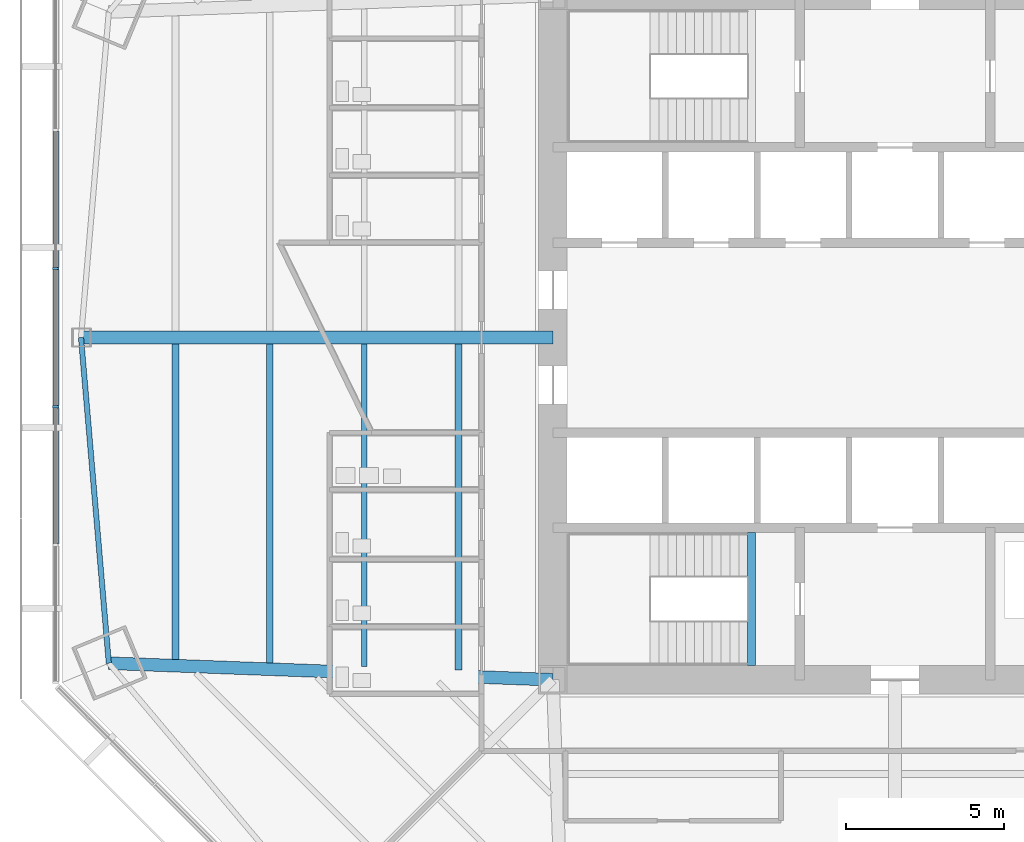
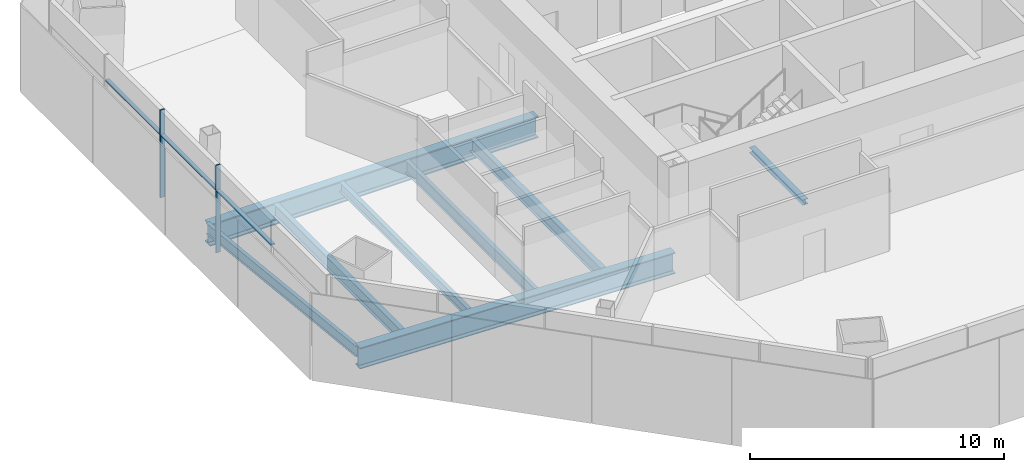
# One storey, part 3 of 14: 8 beams, 5 members, 1 element without a shape of its own.
"""IFC4 building model written with IfcOpenShell, lengths in metres."""

from ifc_helpers import new_model, si_unit, direction, frame, origin, origin_2d, place, context, subcontext, project, spatial, rectangle, i_section, extrude, source, transform, mapped, material, material_profile, profile_set, type_object, type_shapes, element, aggregate, save


model = new_model("IFC4")

# Units and contexts
model_context = context("Model", 3, precision=1e-05, world=origin(), true_north=direction((0.0, 1.0)))
body_context = subcontext(model_context, "Body", "Model", "MODEL_VIEW")
ifc_project = project(units=[si_unit("LENGTHUNIT", "METRE"), si_unit("AREAUNIT", "SQUARE_METRE"), si_unit("VOLUMEUNIT", "CUBIC_METRE"), si_unit("PLANEANGLEUNIT", "RADIAN"), si_unit("MASSUNIT", "GRAM", prefix="KILO")], contexts=[model_context])

# Site, building, storey
site_placement = place(None, origin())
site = spatial("IfcSite", under=ifc_project, at=site_placement, CompositionType="ELEMENT")
building_placement = place(site_placement, origin())
building = spatial("IfcBuilding", under=site, at=building_placement, Name="Mashrafa Tower", CompositionType="ELEMENT")
storey_placement = place(building_placement, frame((0.0, 0.0, 54.0)))
storey = spatial("IfcBuildingStorey", under=building, at=storey_placement, Name="L11", CompositionType="ELEMENT", Elevation=54.0)

# Beams
ifc_material_1 = material(Name="Steel ASTM A992", Category="steel")
ifc_material_profile_1 = material_profile(ifc_material_1, i_section(OverallWidth=0.191162109375, OverallDepth=0.459716796875, WebThickness=0.010009765625, FlangeThickness=0.01611328125, FilletRadius=0.01025390625, at=origin_2d()), Name="W18X55")
ifc_profile_set_1 = profile_set([ifc_material_profile_1], Name="Steel ASTM A992")
beam_type_1 = type_object("IfcBeamType", Name="Beam W18X55", PredefinedType="BEAM", material=ifc_profile_set_1)
beam_1_placement = place(storey_placement, frame((-19.735107421875, -10.266357421875, -0.394775390625), z_axis=(0.0, 1.0, 0.0), x_axis=(-1.0, 0.0, 0.0)))
element("IfcBeam", 1, at=beam_1_placement, inside=storey, type_object=beam_type_1, Name="Floor beam L11 004", PredefinedType="BEAM", context=body_context, shape_type="SweptSolid", body=[
    extrude(i_section(OverallWidth=0.191162109375, OverallDepth=0.459716796875, WebThickness=0.010009765625, FlangeThickness=0.01611328125, FilletRadius=0.01025390625, at=origin_2d()), origin(), (0.0, 0.0, 1.0), 10.061767578125),
])
ifc_material_2 = material(Name="Steel ASTM A992", Category="steel")
ifc_material_profile_2 = material_profile(ifc_material_2, i_section(OverallWidth=0.165771484375, OverallDepth=0.5283203125, WebThickness=0.009765625, FlangeThickness=0.013671875, FilletRadius=0.012939453125, at=origin_2d()), Name="W21X50")
ifc_profile_set_2 = profile_set([ifc_material_profile_2], Name="Steel ASTM A992")
beam_type_2 = type_object("IfcBeamType", Name="Beam W21X50", PredefinedType="BEAM", material=ifc_profile_set_2)
beam_2_placement = place(storey_placement, frame((-25.69189453125, 0.0, -0.42919921875), z_axis=(0.085131284942, -0.996369742778, 0.0), x_axis=(0.996369742778, 0.085131284942, 0.0)))
element("IfcBeam", 2, at=beam_2_placement, inside=storey, type_object=beam_type_2, Name="Spandrel beam L11 073", PredefinedType="BEAM", context=body_context, shape_type="SweptSolid", body=[
    extrude(i_section(OverallWidth=0.165771484375, OverallDepth=0.5283203125, WebThickness=0.009765625, FlangeThickness=0.013671875, FilletRadius=0.012939453125, at=origin_2d()), origin(), (0.0, 0.0, 1.0), 10.3154296875),
])
ifc_material_3 = material(Name="Steel ASTM A992", Category="steel")
ifc_material_profile_3 = material_profile(ifc_material_3, i_section(OverallWidth=0.177978515625, OverallDepth=0.599365234375, WebThickness=0.010009765625, FlangeThickness=0.012939453125, FilletRadius=0.012939453125, at=origin_2d()), Name="W24X55")
ifc_profile_set_3 = profile_set([ifc_material_profile_3], Name="Steel ASTM A992")
beam_type_3 = type_object("IfcBeamType", Name="Beam W24X55", PredefinedType="BEAM", material=ifc_profile_set_3)
beam_3_placement = place(storey_placement, frame((-16.756591796875, -10.37744140625, -0.464599609375), z_axis=(0.0, 1.0, 0.0), x_axis=(-1.0, 0.0, 0.0)))
element("IfcBeam", 3, at=beam_3_placement, inside=storey, type_object=beam_type_3, Name="Floor beam L11 007", PredefinedType="BEAM", context=body_context, shape_type="SweptSolid", body=[
    extrude(i_section(OverallWidth=0.177978515625, OverallDepth=0.599365234375, WebThickness=0.010009765625, FlangeThickness=0.012939453125, FilletRadius=0.012939453125, at=origin_2d()), origin(), (0.0, 0.0, 1.0), 10.1728515625),
])
ifc_material_4 = material(Name="Steel ASTM A992", Category="steel")
ifc_material_profile_4 = material_profile(ifc_material_4, i_section(OverallWidth=0.227783203125, OverallDepth=0.60205078125, WebThickness=0.010498046875, FlangeThickness=0.014892578125, FilletRadius=0.012939453125, at=origin_2d()), Name="W24X68")
ifc_profile_set_4 = profile_set([ifc_material_profile_4], Name="Steel ASTM A992")
beam_type_4 = type_object("IfcBeamType", Name="Beam W24X68", PredefinedType="BEAM", material=ifc_profile_set_4)
beam_4_placement = place(storey_placement, frame((-13.7783203125, -10.48828125, -0.466064453125), z_axis=(0.0, 1.0, 0.0), x_axis=(-1.0, 0.0, 0.0)))
element("IfcBeam", 4, at=beam_4_placement, inside=storey, type_object=beam_type_4, Name="Floor beam L11 014", PredefinedType="BEAM", context=body_context, shape_type="SweptSolid", body=[
    extrude(i_section(OverallWidth=0.227783203125, OverallDepth=0.60205078125, WebThickness=0.010498046875, FlangeThickness=0.014892578125, FilletRadius=0.012939453125, at=origin_2d()), origin(), (0.0, 0.0, 1.0), 10.28369140625),
])
ifc_material_5 = material(Name="Steel ASTM A992", Category="steel")
ifc_material_profile_5 = material_profile(ifc_material_5, i_section(OverallWidth=0.228271484375, OverallDepth=0.607177734375, WebThickness=0.01123046875, FlangeThickness=0.017333984375, FilletRadius=0.0126953125, at=origin_2d()), Name="W24X76")
ifc_profile_set_5 = profile_set([ifc_material_profile_5], Name="Steel ASTM A992")
beam_type_5 = type_object("IfcBeamType", Name="Beam W24X76", PredefinedType="BEAM", material=ifc_profile_set_5)
beam_5_placement = place(storey_placement, frame((-22.71337890625, -10.155517578125, -0.468505859375), z_axis=(0.0, 1.0, 0.0), x_axis=(-1.0, 0.0, 0.0)))
element("IfcBeam", 5, at=beam_5_placement, inside=storey, type_object=beam_type_5, Name="Floor beam L11 001", PredefinedType="BEAM", context=body_context, shape_type="SweptSolid", body=[
    extrude(i_section(OverallWidth=0.228271484375, OverallDepth=0.607177734375, WebThickness=0.01123046875, FlangeThickness=0.017333984375, FilletRadius=0.0126953125, at=origin_2d()), origin(), (0.0, 0.0, 1.0), 9.950927734375),
])
ifc_material_6 = material(Name="Steel ASTM A992", Category="steel")
ifc_material_profile_6 = material_profile(ifc_material_6, i_section(OverallWidth=0.4013671875, OverallDepth=1.010986328125, WebThickness=0.023681640625, FlangeThickness=0.0419921875, FilletRadius=0.02001953125, at=origin_2d()), Name="W40X297")
ifc_profile_set_6 = profile_set([ifc_material_profile_6], Name="Steel ASTM A992")
beam_type_6 = type_object("IfcBeamType", Name="Beam W40X297", PredefinedType="BEAM", material=ifc_profile_set_6)
beam_6_placement = place(storey_placement, frame((-10.800048828125, -10.800048828125, -0.67041015625), z_axis=(-0.999307037052, 0.037221575701, 0.0), x_axis=(-0.037221575701, -0.999307037052, 0.0)))
element("IfcBeam", 6, at=beam_6_placement, inside=storey, type_object=beam_type_6, Name="Radial girder L11 057", PredefinedType="BEAM", context=body_context, shape_type="SweptSolid", body=[
    extrude(i_section(OverallWidth=0.4013671875, OverallDepth=1.010986328125, WebThickness=0.023681640625, FlangeThickness=0.0419921875, FilletRadius=0.02001953125, at=origin_2d()), origin(), (0.0, 0.0, 1.0), 14.0234375),
])
ifc_material_7 = material(Name="Steel ASTM A992", Category="steel")
ifc_material_profile_7 = material_profile(ifc_material_7, i_section(OverallWidth=0.408935546875, OverallDepth=1.04150390625, WebThickness=0.031005859375, FlangeThickness=0.055908203125, FilletRadius=0.020263671875, at=origin_2d()), Name="W40X397")
ifc_profile_set_7 = profile_set([ifc_material_profile_7], Name="Steel ASTM A992")
beam_type_7 = type_object("IfcBeamType", Name="Beam W40X397", PredefinedType="BEAM", material=ifc_profile_set_7)
beam_7_placement = place(storey_placement, frame((-10.800048828125, 0.0, -0.685791015625), z_axis=(-1.0, 0.0, 0.0), x_axis=(0.0, -1.0, 0.0)))
element("IfcBeam", 7, at=beam_7_placement, inside=storey, type_object=beam_type_7, Name="Radial girder L11 060", PredefinedType="BEAM", context=body_context, shape_type="SweptSolid", body=[
    extrude(i_section(OverallWidth=0.408935546875, OverallDepth=1.04150390625, WebThickness=0.031005859375, FlangeThickness=0.055908203125, FilletRadius=0.020263671875, at=origin_2d()), origin(), (0.0, 0.0, 1.0), 14.891845703125),
])
ifc_material_8 = material(Name="Steel ASTM A992", Category="steel")
ifc_material_profile_8 = material_profile(ifc_material_8, i_section(OverallWidth=0.25390625, OverallDepth=0.25390625, WebThickness=0.008544921875, FlangeThickness=0.01416015625, FilletRadius=0.010009765625, at=origin_2d()), Name="W10X49")
ifc_profile_set_8 = profile_set([ifc_material_profile_8], Name="Steel ASTM A992")
beam_type_8 = type_object("IfcBeamType", Name="Hoistway beam W10X49", PredefinedType="BEAM", material=ifc_profile_set_8)
beam_8_placement = place(storey_placement, frame((-4.530029296875, -10.35009765625, -0.326904296875), z_axis=(0.0, 1.0, 0.0), x_axis=(-1.0, 0.0, 0.0)))
element("IfcBeam", 8, at=beam_8_placement, inside=storey, type_object=beam_type_8, Name="Stair S3 landing beam L11", PredefinedType="BEAM", context=body_context, shape_type="SweptSolid", body=[
    extrude(i_section(OverallWidth=0.25390625, OverallDepth=0.25390625, WebThickness=0.008544921875, FlangeThickness=0.01416015625, FilletRadius=0.010009765625, at=origin_2d()), origin(), (0.0, 0.0, 1.0), 4.2001953125),
])

# Curtain wall, members
ifc_material_9 = material(Name="Unitised aluminium curtain wall", Category="aluminium")
curtain_wall_type = type_object("IfcCurtainWallType", Name="Office curtain wall, zone 1 CW-A 200 deep", PredefinedType="NOTDEFINED", material=ifc_material_9)
curtain_wall_placement = place(storey_placement, origin())
curtain_wall = element("IfcCurtainWall", 9, at=curtain_wall_placement, inside=storey, type_object=curtain_wall_type, Name="Office curtain wall, zone 1 L11 west", PredefinedType="NOTDEFINED")
ifc_material_10 = material(Name="Extruded aluminium mullion", Category="aluminium")
ifc_material_profile_9 = material_profile(ifc_material_10, rectangle(XDim=0.199951171875, YDim=0.06494140625, at=origin_2d()), Name="Mullion 65x200")
ifc_profile_set_9 = profile_set([ifc_material_profile_9], Name="Extruded aluminium mullion")
member_type_1 = type_object("IfcMemberType", Name="Mullion CW-A 65 x 200", PredefinedType="MULLION", material=ifc_profile_set_9)
shared_shape_1 = source(origin(), body_context, "Body", "SweptSolid", [
    extrude(rectangle(XDim=0.199951171875, YDim=0.06494140625, at=origin_2d()), origin(), (0.0, 0.0, 1.0), 4.199951171875),
])
type_shapes(member_type_1, [shared_shape_1])
member_1_placement = place(storey_placement, frame((-26.487060546875, 2.18408203125, 0.0), z_axis=(0.0, 0.0, 1.0), x_axis=(1.0, 0.0, 0.0)))
member_1 = element("IfcMember", 10, at=member_1_placement, type_object=member_type_1, Name="CW-A mullion 3", PredefinedType="MULLION", context=body_context, shape_type="MappedRepresentation", body=[
    mapped(shared_shape_1, transform((0.0, 0.0, 0.0))),
])
member_2_placement = place(storey_placement, frame((-26.487060546875, -2.18408203125, 0.0), z_axis=(0.0, 0.0, 1.0), x_axis=(1.0, 0.0, 0.0)))
member_2 = element("IfcMember", 11, at=member_2_placement, type_object=member_type_1, Name="CW-A mullion 4", PredefinedType="MULLION", context=body_context, shape_type="MappedRepresentation", body=[
    mapped(shared_shape_1, transform((0.0, 0.0, 0.0))),
])
ifc_material_11 = material(Name="Extruded aluminium transom", Category="aluminium")
ifc_material_profile_10 = material_profile(ifc_material_11, rectangle(XDim=0.159912109375, YDim=0.080078125, at=origin_2d()), Name="Transom 80x160")
ifc_profile_set_10 = profile_set([ifc_material_profile_10], Name="Extruded aluminium transom")
member_type_2 = type_object("IfcMemberType", Name="Transom CW-A 80 x 160", PredefinedType="MULLION", material=ifc_profile_set_10)
shared_shape_2 = source(origin(), body_context, "Body", "SweptSolid", [
    extrude(rectangle(XDim=0.159912109375, YDim=0.080078125, at=origin_2d()), origin(), (0.0, 0.0, 1.0), 4.302978515625),
])
member_3_placement = place(storey_placement, frame((-26.487060546875, 6.51953125, 3.0), z_axis=(0.0, -1.0, 0.0), x_axis=(1.0, 0.0, 0.0)))
member_3 = element("IfcMember", 12, at=member_3_placement, type_object=member_type_2, Name="CW-A transom 2", PredefinedType="MULLION", context=body_context, shape_type="MappedRepresentation", body=[
    mapped(shared_shape_2, transform((0.0, 0.0, 0.0))),
])
member_4_placement = place(storey_placement, frame((-26.487060546875, -2.216552734375, 3.0), z_axis=(0.0, -1.0, 0.0), x_axis=(1.0, 0.0, 0.0)))
member_4 = element("IfcMember", 13, at=member_4_placement, type_object=member_type_2, Name="CW-A transom 4", PredefinedType="MULLION", context=body_context, shape_type="MappedRepresentation", body=[
    mapped(shared_shape_2, transform((0.0, 0.0, 0.0))),
])
shared_shape_3 = source(origin(), body_context, "Body", "SweptSolid", [
    extrude(rectangle(XDim=0.159912109375, YDim=0.080078125, at=origin_2d()), origin(), (0.0, 0.0, 1.0), 4.302734375),
])
type_shapes(member_type_2, [shared_shape_2, shared_shape_3])
member_5_placement = place(storey_placement, frame((-26.487060546875, 2.1513671875, 3.0), z_axis=(0.0, -1.0, 0.0), x_axis=(1.0, 0.0, 0.0)))
member_5 = element("IfcMember", 14, at=member_5_placement, type_object=member_type_2, Name="CW-A transom 3", PredefinedType="MULLION", context=body_context, shape_type="MappedRepresentation", body=[
    mapped(shared_shape_3, transform((0.0, 0.0, 0.0))),
])
aggregate(curtain_wall, [member_1, member_2, member_3, member_5, member_4])

save(model, "model.ifc")
